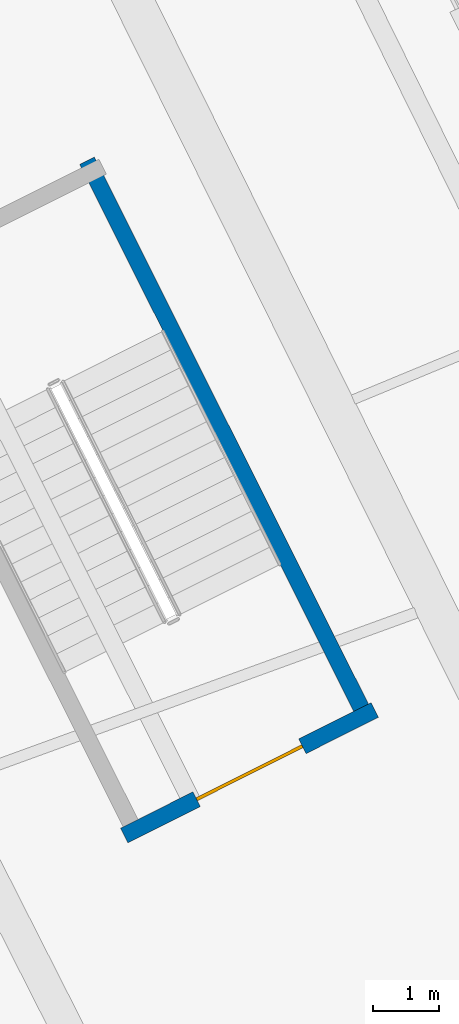
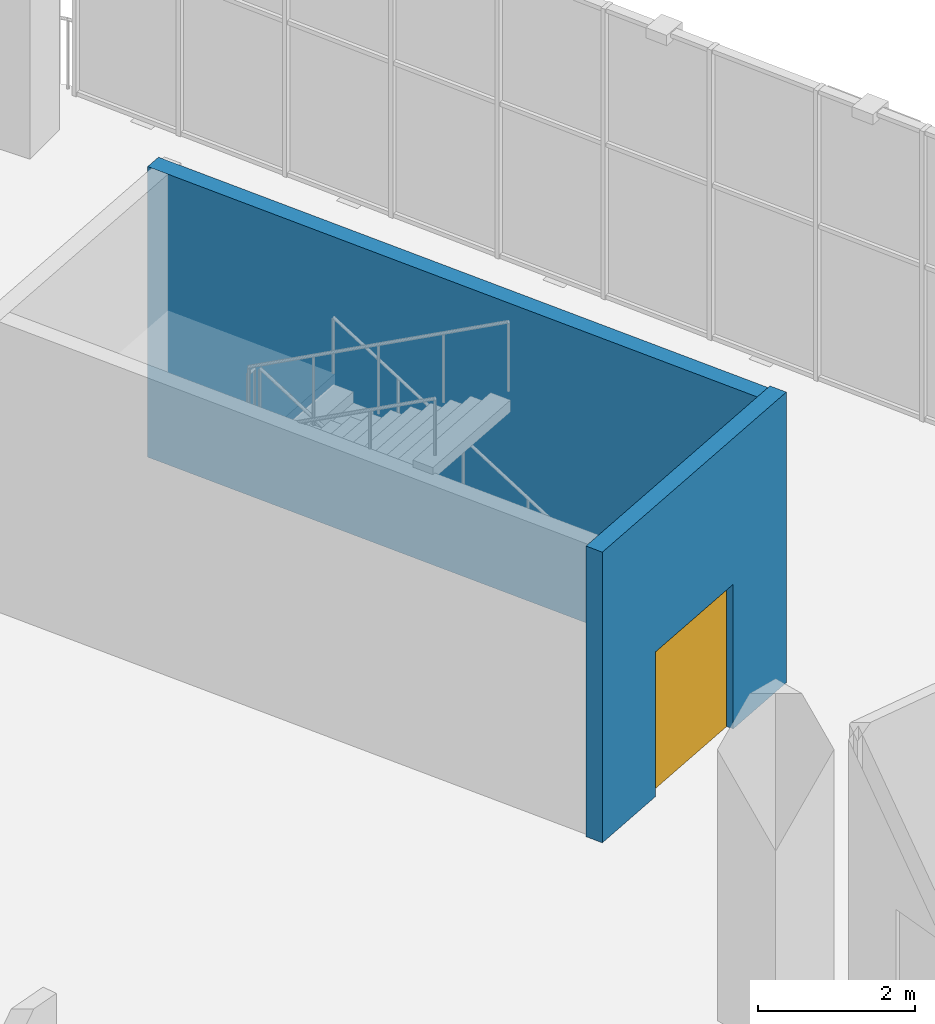
# One storey, part 106 of 183: 2 walls, 1 door, 1 opening.
"""IFC4 building model written with IfcOpenShell, lengths in metres."""

from ifc_helpers import new_model, si_unit, direction, frame, frame_2d, origin, place, context, subcontext, project, spatial, rectangle, extrude, material, layer, layer_set, type_object, element, fill, save


model = new_model("IFC4")

# Units and contexts
model_context = context("Model", 3, precision=1e-05, world=origin(), true_north=direction((0.0, 1.0)))
body_context = subcontext(model_context, "Body", "Model", "MODEL_VIEW")
ifc_project = project(units=[si_unit("LENGTHUNIT", "METRE"), si_unit("AREAUNIT", "SQUARE_METRE"), si_unit("VOLUMEUNIT", "CUBIC_METRE"), si_unit("PLANEANGLEUNIT", "RADIAN"), si_unit("MASSUNIT", "GRAM", prefix="KILO")], contexts=[model_context])

# Site, building, storey
site_placement = place(None, origin())
site = spatial("IfcSite", under=ifc_project, at=site_placement, CompositionType="ELEMENT")
building_placement = place(site_placement, origin())
building = spatial("IfcBuilding", under=site, at=building_placement, Name="Zevraka Park Crest Stadium", CompositionType="ELEMENT")
storey_placement = place(building_placement, frame((0.0, 0.0, 5.39990234375)))
storey = spatial("IfcBuildingStorey", under=building, at=storey_placement, Name="L01", CompositionType="ELEMENT", Elevation=5.39990234375)

# Wall
ifc_material_1 = material(Name="Concrete C40/50", Category="concrete")
ifc_layer = layer(ifc_material_1, 0.25)
ifc_layer_set = layer_set([ifc_layer], Name="Concrete C40/50")
wall_type = type_object("IfcWallType", Name="SW01", PredefinedType="SHEAR", material=ifc_layer_set)
wall_1_placement = place(storey_placement, frame((195.214599609375, 115.7744140625, 0.0), z_axis=(0.0, 0.0, 1.0), x_axis=(-0.447919041961, 0.894074119885, 0.0)))
element("IfcWall", 1, at=wall_1_placement, inside=storey, type_object=wall_type, Name="Stair Core Shear Wall SW01 ST02 L01 left", PredefinedType="SHEAR", context=body_context, shape_type="SweptSolid", body=[
    extrude(rectangle(XDim=9.5498046875, YDim=0.25, at=frame_2d((4.77490234375, 0.0))), origin(), (0.0, 0.0, 1.0), 4.52001953125),
])

# Wall, opening, door
wall_2_placement = place(storey_placement, frame((191.501708984375, 114.05419921875, 0.0), z_axis=(0.0, 0.0, 1.0), x_axis=(0.89409454548, 0.447878268888, 0.0)))
wall_2 = element("IfcWall", 2, at=wall_2_placement, inside=storey, type_object=wall_type, Name="Stair Core Shear Wall SW01 ST02 L01 near", PredefinedType="SHEAR", context=body_context, shape_type="SweptSolid", body=[
    extrude(rectangle(XDim=4.260009765625, YDim=0.25, at=frame_2d((2.1298828125, 0.0))), origin(), (0.0, 0.0, 1.0), 4.52001953125),
])
opening_placement = place(wall_2_placement, frame((1.22998046875, 0.0, 0.0)))
opening = element("IfcOpeningElement", 3, at=opening_placement, cuts=wall_2, Name="Opening D-L01-010", PredefinedType="OPENING", context=body_context, shape_type="SweptSolid", body=[
    extrude(rectangle(XDim=1.800048828125, YDim=2.25, at=frame_2d((0.89990234375, 1.125))), frame((0.0, 0.135009765625, 0.0), z_axis=(0.0, -1.0, 0.0), x_axis=(1.0, 0.0, 0.0)), (0.0, 0.0, 1.0), 0.27001953125),
])
ifc_material_2 = material(Name="Solid-core hardwood timber leaf in steel frame", Category="steel")
door_type = type_object("IfcDoorType", Name="DR04", OperationType="NOTDEFINED", PredefinedType="DOOR", material=ifc_material_2)
door_placement = place(opening_placement, origin())
door = element("IfcDoor", 4, at=door_placement, inside=storey, type_object=door_type, Name="Protected Stair Entry Door ST02 L01", OperationType="DOUBLE_DOOR_SINGLE_SWING", OverallHeight=2.25, OverallWidth=1.800048828125, PredefinedType="DOOR", context=body_context, shape_type="SweptSolid", body=[
    extrude(rectangle(XDim=1.800048828125, YDim=2.25, at=frame_2d((0.89990234375, 1.125))), frame((0.0, 0.02490234375, 0.0), z_axis=(0.0, -1.0, 0.0), x_axis=(1.0, 0.0, 0.0)), (0.0, 0.0, 1.0), 0.050048828125),
])
fill(opening, door)

save(model, "model.ifc")
